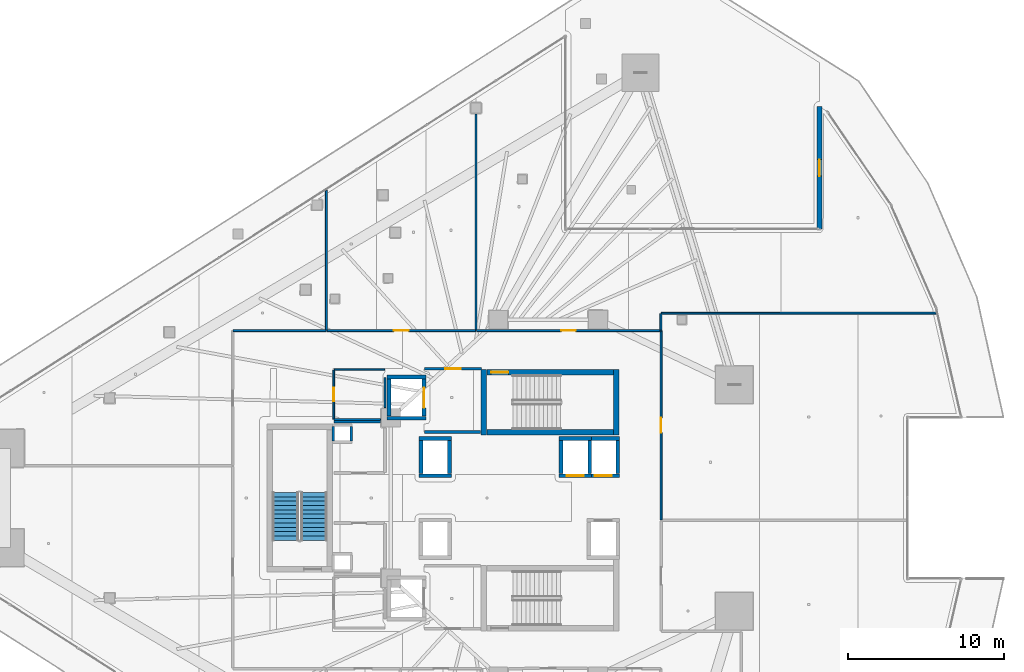
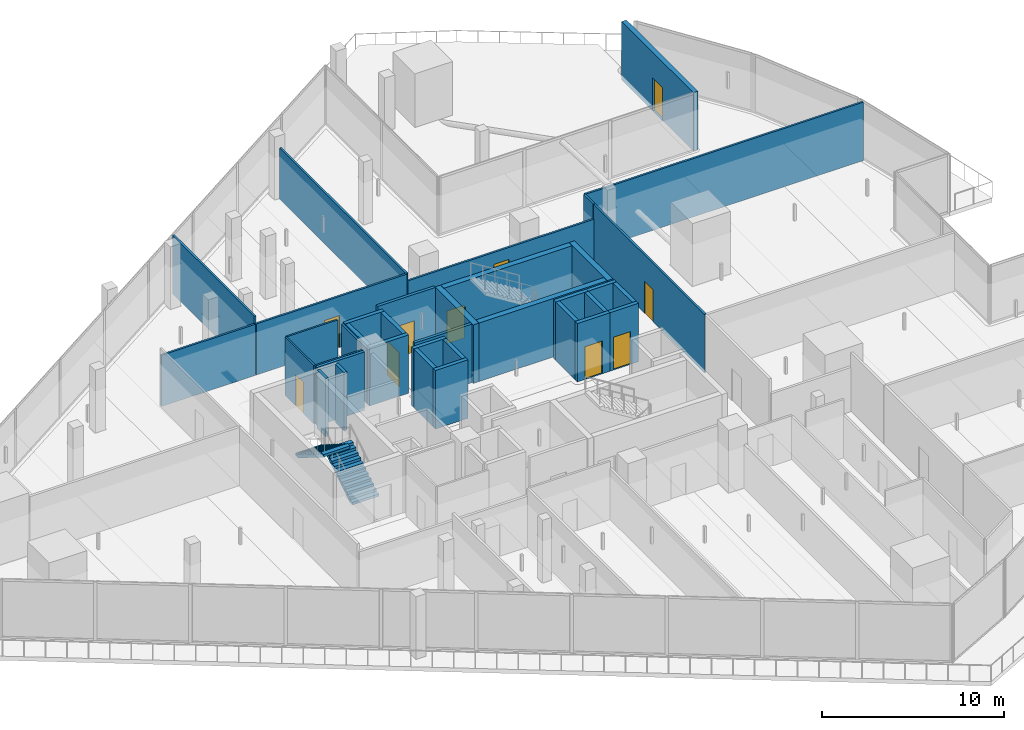
# One storey, part 30 of 44: 37 walls, 10 doors, 2 stair flights, 10 openings, 1 element without a shape of its own.
"""IFC4 building model written with IfcOpenShell, lengths in metres."""

import ifcopenshell
import ifcopenshell.guid

model = None  # the IFC model being written
_history = None  # IfcOwnerHistory: only IFC2X3 demands one
_inside = {}  # id of a spatial element -> (the spatial element, [elements in it])
_under = {}  # id of a project, library or spatial element -> (it, [spatial elements below it])
_declared = {}  # id of a project -> (the project, [libraries it declares])
_typed = {}  # id of a type object -> (the type object, [elements of that type])
_made_of = {}  # id of a material, layer set ... -> (it, [elements and type objects made of it])


def new_model(schema):
    """Start an empty IFC model of exactly this schema.

    Asked for "IFC4X3", IfcOpenShell would pick the latest addendum, in which some entities
    have other attributes; the version numbers below select the first issue.
    IFC2X3 requires an IfcOwnerHistory on every rooted entity: one is made here for all.
    """
    global model, _history
    if schema == "IFC4X3":
        model = ifcopenshell.file(schema_version=(4, 3, 0, 0))
    else:
        model = ifcopenshell.file(schema=schema)
    _inside.clear()
    _under.clear()
    _declared.clear()
    _typed.clear()
    _made_of.clear()
    _history = None
    if model.schema == "IFC2X3":
        org = make("IfcOrganization", Name="unknown")
        user = make(
            "IfcPersonAndOrganization",
            ThePerson=make("IfcPerson", FamilyName="unknown"),
            TheOrganization=org,
        )
        app = make(
            "IfcApplication",
            ApplicationDeveloper=org,
            Version="unknown",
            ApplicationFullName="unknown",
            ApplicationIdentifier="unknown",
        )
        _history = make(
            "IfcOwnerHistory",
            OwningUser=user,
            OwningApplication=app,
            ChangeAction="ADDED",
            CreationDate=0,
        )
    return model


def make(cls, **values):
    """One entity of the class cls with the attributes given. An attribute that is None is left unset."""
    return model.create_entity(
        cls, **{name: value for name, value in values.items() if value is not None}
    )


def rooted(cls, **values):
    """An entity with a GlobalId (a new one), such as an element, a storey or a relation."""
    return make(cls, GlobalId=ifcopenshell.guid.new(), OwnerHistory=_history, **values)


def si_unit(unit_type, name, prefix=None):
    """IfcSIUnit, for example si_unit("LENGTHUNIT", "METRE", prefix="MILLI")."""
    return make("IfcSIUnit", UnitType=unit_type, Prefix=prefix, Name=name)


def assignment(units):
    """IfcUnitAssignment: the units of a project."""
    return None if units is None else make("IfcUnitAssignment", Units=units)


def point(xyz):
    """IfcCartesianPoint."""
    return None if xyz is None else make("IfcCartesianPoint", Coordinates=xyz)


def direction(xyz):
    """IfcDirection."""
    return None if xyz is None else make("IfcDirection", DirectionRatios=xyz)


def frame(location, z_axis=None, x_axis=None):
    """IfcAxis2Placement3D, a coordinate frame: its origin and axes. An axis left out is left unset."""
    return make(
        "IfcAxis2Placement3D",
        Location=point(location),
        Axis=direction(z_axis),
        RefDirection=direction(x_axis),
    )


def frame_2d(location, x_axis=None):
    """IfcAxis2Placement2D, a coordinate frame in the plane: its origin and x axis."""
    return make(
        "IfcAxis2Placement2D", Location=point(location), RefDirection=direction(x_axis)
    )


def origin():
    """The frame at (0, 0, 0) with its axes left unset."""
    return frame((0.0, 0.0, 0.0))


def place(relative_to, where):
    """IfcLocalPlacement: puts the frame where relative to a parent placement (None: the world)."""
    return make(
        "IfcLocalPlacement", PlacementRelTo=relative_to, RelativePlacement=where
    )


def context(
    kind, dimensions, precision=None, world=None, true_north=None, identifier=None
):
    """IfcGeometricRepresentationContext, for example the 3D "Model" context."""
    return make(
        "IfcGeometricRepresentationContext",
        ContextIdentifier=identifier,
        ContextType=kind,
        CoordinateSpaceDimension=dimensions,
        Precision=precision,
        WorldCoordinateSystem=world,
        TrueNorth=true_north,
    )


def subcontext(parent, identifier, kind, view, scale=None):
    """IfcGeometricRepresentationSubContext, for example "Body" below "Model"."""
    return make(
        "IfcGeometricRepresentationSubContext",
        ContextIdentifier=identifier,
        ContextType=kind,
        ParentContext=parent,
        TargetScale=scale,
        TargetView=view,
    )


def project(units=None, contexts=None):
    """IfcProject with its units and contexts."""
    return rooted(
        "IfcProject",
        Name="project",
        RepresentationContexts=contexts,
        UnitsInContext=assignment(units),
    )


def spatial(cls, under=None, at=None, **own):
    """A site, building, storey or space (cls), placed at a placement, below another one or the project."""
    s = rooted(cls, ObjectPlacement=at, **own)
    if under is not None:
        _under.setdefault(under.id(), (under, []))[1].append(s)
    return s


def polyline(points):
    """IfcPolyline through the points."""
    return make("IfcPolyline", Points=[point(p) for p in points])


def profile(cls, at=None, kind="AREA", **sizes):
    """A parametric profile (cls). Its sizes go by their IFC names, for example OverallWidth=200.0."""
    return make(cls, ProfileType=kind, Position=at, **sizes)


def rectangle(**sizes):
    """IfcRectangleProfileDef."""
    return profile("IfcRectangleProfileDef", **sizes)


def outline(outer, holes=None, kind="AREA"):
    """IfcArbitraryClosedProfileDef: a profile drawn as a closed curve; with holes, ...WithVoids."""
    if holes is None:
        return make("IfcArbitraryClosedProfileDef", ProfileType=kind, OuterCurve=outer)
    return make(
        "IfcArbitraryProfileDefWithVoids",
        ProfileType=kind,
        OuterCurve=outer,
        InnerCurves=holes,
    )


def extrude(swept, where, along, depth):
    """IfcExtrudedAreaSolid: the profile swept, set in the frame where, extruded along a direction by depth."""
    return make(
        "IfcExtrudedAreaSolid",
        SweptArea=swept,
        Position=where,
        ExtrudedDirection=direction(along),
        Depth=depth,
    )


def shape(context_of_items, identifier, shape_type, items):
    """IfcShapeRepresentation: the items that make up one representation, for example the "Body"."""
    return make(
        "IfcShapeRepresentation",
        ContextOfItems=context_of_items,
        RepresentationIdentifier=identifier,
        RepresentationType=shape_type,
        Items=items,
    )


def material(Name=None, Category=None):
    """IfcMaterial."""
    return make("IfcMaterial", Name=Name, Category=Category)


def layer(
    of_material, thickness, ventilated=None, Name=None, Category=None, Priority=None
):
    """IfcMaterialLayer: one layer of a wall or slab, of a material (None: an air gap)."""
    return make(
        "IfcMaterialLayer",
        Material=of_material,
        LayerThickness=thickness,
        IsVentilated=ventilated,
        Name=Name,
        Category=Category,
        Priority=Priority,
    )


def layer_set(layers, Name=None):
    """IfcMaterialLayerSet."""
    return make("IfcMaterialLayerSet", MaterialLayers=layers, LayerSetName=Name)


def made_of(thing, what):
    """Note that an element or type object is made of a material, layer set ...; save() writes the relation."""
    if what is not None:
        _made_of.setdefault(what.id(), (what, []))[1].append(thing)
    return thing


def type_object(cls, material=None, **own):
    """A type object (cls), such as IfcWallType, which elements share."""
    return made_of(rooted(cls, **own), material)


def element(
    cls,
    number,
    at=None,
    inside=None,
    cuts=None,
    type_object=None,
    material=None,
    context=None,
    identifier="Body",
    shape_type=None,
    held_by="IfcProductDefinitionShape",
    body=None,
    shapes=None,
    **own,
):
    """One element of the class cls, such as IfcWall. Its Tag is "e" and its number.

    at: its placement. inside: the storey or other place that contains it. cuts: it is an
    opening in that element (IfcRelVoidsElement). A single representation is given by context,
    identifier, shape_type and body (its items); several are given by shapes. held_by: the class
    of the entity that holds the representations. save() writes the other relations.
    """
    e = rooted(cls, Tag="e%d" % number, ObjectPlacement=at, **own)
    if body is not None:
        shapes = [shape(context, identifier, shape_type, body)]
    if shapes is not None:
        e.Representation = make(held_by, Representations=shapes)
    if inside is not None:
        _inside.setdefault(inside.id(), (inside, []))[1].append(e)
    if cuts is not None:
        rooted(
            "IfcRelVoidsElement", RelatingBuildingElement=cuts, RelatedOpeningElement=e
        )
    if type_object is not None:
        _typed.setdefault(type_object.id(), (type_object, []))[1].append(e)
    return made_of(e, material)


def fill(opening, filler):
    """IfcRelFillsElement: the door or window that sits in an opening."""
    return rooted(
        "IfcRelFillsElement",
        RelatingOpeningElement=opening,
        RelatedBuildingElement=filler,
    )


def aggregate(whole, parts):
    """IfcRelAggregates: a whole, such as a stair, and the parts it consists of."""
    return rooted("IfcRelAggregates", RelatingObject=whole, RelatedObjects=parts)


def save(model, path):
    """Write the relations noted so far, then the file.

    IfcRelAggregates (storeys below a building ...), IfcRelContainedInSpatialStructure (elements
    in a storey), IfcRelDefinesByType, IfcRelAssociatesMaterial and IfcRelDeclares: one each for
    every whole, place, type object, material and project.
    """
    for whole, parts in _under.values():
        aggregate(whole, parts)
    for where, things in _inside.values():
        rooted(
            "IfcRelContainedInSpatialStructure",
            RelatedElements=things,
            RelatingStructure=where,
        )
    for kind, things in _typed.values():
        rooted("IfcRelDefinesByType", RelatedObjects=things, RelatingType=kind)
    for what, things in _made_of.values():
        rooted("IfcRelAssociatesMaterial", RelatedObjects=things, RelatingMaterial=what)
    for by, libraries in _declared.values():
        rooted("IfcRelDeclares", RelatingContext=by, RelatedDefinitions=libraries)
    model.write(path)


model = new_model("IFC4")

# Units and contexts
model_context = context("Model", 3, precision=1e-05, world=origin(), true_north=direction((0.0, 1.0)))
body_context = subcontext(model_context, "Body", "Model", "MODEL_VIEW")
ifc_project = project(units=[si_unit("LENGTHUNIT", "METRE"), si_unit("AREAUNIT", "SQUARE_METRE"), si_unit("VOLUMEUNIT", "CUBIC_METRE"), si_unit("PLANEANGLEUNIT", "RADIAN"), si_unit("MASSUNIT", "GRAM", prefix="KILO")], contexts=[model_context])

# Site, building, storey
site_placement = place(None, origin())
site = spatial("IfcSite", under=ifc_project, at=site_placement, CompositionType="ELEMENT")
building_placement = place(site_placement, origin())
building = spatial("IfcBuilding", under=site, at=building_placement, Name="Qorvath Tower", CompositionType="ELEMENT")
storey_placement = place(building_placement, frame((0.0, 0.0, 78.60009765625)))
storey = spatial("IfcBuildingStorey", under=building, at=storey_placement, Name="L17", CompositionType="ELEMENT", Elevation=78.60009765625)

# Walls
ifc_material_1 = material(Name="Gypsum shaftliner on steel studs", Category="steel")
ifc_layer_1 = layer(ifc_material_1, 0.179931640625)
ifc_layer_set_1 = layer_set([ifc_layer_1], Name="FW-LOBBY")
wall_type_1 = type_object("IfcWallType", Name="FW-LOBBY", PredefinedType="PARTITIONING", material=ifc_layer_set_1)
for number, where, z_axis, x_axis, name in (
    (1, (-34.205078125, 3.659912109375, 0.0), (0.0, 0.0, 1.0), (0.0, 1.0, 0.0), "MEP Riser Shaft Enclosure Wall N-L17-W"),
    (2, (-33.044921875, 4.610107421875, 0.0), (0.0, 0.0, 1.0), (0.0, -1.0, 0.0), "MEP Riser Shaft Enclosure Wall N-L17-E"),
):
    element("IfcWall", number, at=place(storey_placement, frame(where, z_axis=z_axis, x_axis=x_axis)), inside=storey, type_object=wall_type_1, Name=name, PredefinedType="PARTITIONING", context=body_context, shape_type="SweptSolid", body=[
        extrude(rectangle(XDim=0.9501953125, YDim=0.179931640625, at=frame_2d((0.47509765625, 0.0))), origin(), (0.0, 0.0, 1.0), 3.919921875),
    ])
wall_1_placement = place(storey_placement, frame((-28.35498046875, 4.25, 0.0), z_axis=(0.0, 0.0, 1.0), x_axis=(1.0, 0.0, 0.0)))
element("IfcWall", 3, at=wall_1_placement, inside=storey, type_object=wall_type_1, Name="Interior Partition IW-T1-L17-001", PredefinedType="PARTITIONING", context=body_context, shape_type="SweptSolid", body=[
    extrude(rectangle(XDim=3.6220703125, YDim=0.179931640625, at=frame_2d((1.81103515625, 0.0))), origin(), (0.0, 0.0, 1.0), 3.919921875),
])

# Wall, opening, door
wall_2_placement = place(storey_placement, frame((-24.68408203125, 8.300048828125, 0.0), z_axis=(0.0, 0.0, 1.0), x_axis=(-1.0, 0.0, 0.0)))
wall_2 = element("IfcWall", 4, at=wall_2_placement, inside=storey, type_object=wall_type_1, Name="Interior Partition IW-T1-L17-002", PredefinedType="PARTITIONING", context=body_context, shape_type="SweptSolid", body=[
    extrude(rectangle(XDim=3.6708984375, YDim=0.179931640625, at=frame_2d((1.83544921875, 0.0))), origin(), (0.0, 0.0, 1.0), 3.919921875),
])
opening_1_placement = place(wall_2_placement, frame((1.33544921875, 0.0, 0.0)))
opening_1 = element("IfcOpeningElement", 5, at=opening_1_placement, cuts=wall_2, Name="Opening D-T1-L17-18", PredefinedType="OPENING", context=body_context, shape_type="SweptSolid", body=[
    extrude(rectangle(XDim=1.0, YDim=2.14990234375, at=frame_2d((0.5, 1.074951171875))), frame((0.0, 0.10009765625, 0.0), z_axis=(0.0, -1.0, 0.0), x_axis=(1.0, 0.0, 0.0)), (0.0, 0.0, 1.0), 0.199951171875),
])
ifc_material_2 = material(Name="Painted galvanised hollow metal", Category="steel")
door_type_1 = type_object("IfcDoorType", Name="FD-60", OperationType="NOTDEFINED", PredefinedType="DOOR", material=ifc_material_2)
door_1_placement = place(opening_1_placement, origin())
door_1 = element("IfcDoor", 6, at=door_1_placement, inside=storey, type_object=door_type_1, Name="Lobby Fire Service Elevator North Door D-T1-L17-18", OperationType="SINGLE_SWING_RIGHT", OverallHeight=2.14990234375, OverallWidth=1.0, PredefinedType="DOOR", context=body_context, shape_type="SweptSolid", body=[
    extrude(rectangle(XDim=1.0, YDim=2.14990234375, at=frame_2d((0.5, 1.074951171875))), frame((0.0, 0.02490234375, 0.0), z_axis=(0.0, -1.0, 0.0), x_axis=(1.0, 0.0, 0.0)), (0.0, 0.0, 1.0), 0.050048828125),
])
fill(opening_1, door_1)

# Wall
wall_3_placement = place(storey_placement, frame((-31.1650390625, 4.89990234375, 0.0), z_axis=(0.0, 0.0, 1.0), x_axis=(-1.0, 0.0, 0.0)))
element("IfcWall", 7, at=wall_3_placement, inside=storey, type_object=wall_type_1, Name="Interior Partition IW-T1-L17-015", PredefinedType="PARTITIONING", context=body_context, shape_type="SweptSolid", body=[
    extrude(rectangle(XDim=2.98974609375, YDim=0.179931640625, at=frame_2d((1.494873046875, 0.0))), origin(), (0.0, 0.0, 1.0), 3.919921875),
])

# Wall, opening, door
ifc_material_3 = material(Name="Gypsum board on metal studs with mineral wool", Category="gypsum")
ifc_layer_2 = layer(ifc_material_3, 0.125)
ifc_layer_set_2 = layer_set([ifc_layer_2], Name="IW-PART-125")
wall_type_2 = type_object("IfcWallType", Name="IW-PART-125", PredefinedType="PARTITIONING", material=ifc_layer_set_2)
wall_4_placement = place(storey_placement, frame((-34.625, 10.758056640625, 0.0), z_axis=(0.0, 0.0, 1.0), x_axis=(1.0, 0.0, 0.0)))
wall_4 = element("IfcWall", 8, at=wall_4_placement, inside=storey, type_object=wall_type_2, Name="Interior Partition IW-T1-L17-019", PredefinedType="PARTITIONING", context=body_context, shape_type="SweptSolid", body=[
    extrude(rectangle(XDim=9.566162109375, YDim=0.125, at=frame_2d((4.783203125, 0.0))), origin(), (0.0, 0.0, 1.0), 3.432861328125),
])
opening_2_placement = place(wall_4_placement, frame((4.30810546875, 0.0, 0.0)))
opening_2 = element("IfcOpeningElement", 9, at=opening_2_placement, cuts=wall_4, Name="Opening D-T1-L17-05", PredefinedType="OPENING", context=body_context, shape_type="SweptSolid", body=[
    extrude(rectangle(XDim=0.949951171875, YDim=2.14990234375, at=frame_2d((0.47509765625, 1.074951171875))), frame((0.0, 0.072509765625, 0.0), z_axis=(0.0, -1.0, 0.0), x_axis=(1.0, 0.0, 0.0)), (0.0, 0.0, 1.0), 0.14501953125),
])
ifc_material_4 = material(Name="Solid-core American white oak veneer", Category="wood")
door_type_2 = type_object("IfcDoorType", Name="D-01", OperationType="NOTDEFINED", PredefinedType="DOOR", material=ifc_material_4)
door_2_placement = place(opening_2_placement, origin())
door_2 = element("IfcDoor", 10, at=door_2_placement, inside=storey, type_object=door_type_2, Name="L17-01 Focus Collaboration Pod Door D-T1-L17-05", OperationType="SINGLE_SWING_LEFT", OverallHeight=2.14990234375, OverallWidth=0.949951171875, PredefinedType="DOOR", context=body_context, shape_type="SweptSolid", body=[
    extrude(rectangle(XDim=0.949951171875, YDim=2.14990234375, at=frame_2d((0.47509765625, 1.074951171875))), frame((0.0, 0.02490234375, 0.0), z_axis=(0.0, -1.0, 0.0), x_axis=(1.0, 0.0, 0.0)), (0.0, 0.0, 1.0), 0.050048828125),
])
fill(opening_2, door_2)

# Walls
wall_5_placement = place(storey_placement, frame((-25.033935546875, 10.783203125, 0.0), z_axis=(0.0, 0.0, 1.0), x_axis=(0.0, 1.0, 0.0)))
element("IfcWall", 11, at=wall_5_placement, inside=storey, type_object=wall_type_2, Name="Interior Partition IW-T1-L17-020", PredefinedType="PARTITIONING", context=body_context, shape_type="SweptSolid", body=[
    extrude(rectangle(XDim=13.885498046875, YDim=0.125, at=frame_2d((6.94287109375, 0.0))), origin(), (0.0, 0.0, 1.0), 3.432861328125),
])
wall_6_placement = place(storey_placement, frame((-34.64990234375, 19.766357421875, 0.0), z_axis=(0.0, 0.0, 1.0), x_axis=(0.0, -1.0, 0.0)))
element("IfcWall", 12, at=wall_6_placement, inside=storey, type_object=wall_type_2, Name="Interior Partition IW-T1-L17-021", PredefinedType="PARTITIONING", context=body_context, shape_type="SweptSolid", body=[
    extrude(rectangle(XDim=8.983154296875, YDim=0.125, at=frame_2d((4.49169921875, 0.0))), origin(), (0.0, 0.0, 1.0), 3.919921875),
])

# Wall, opening, door
wall_7_placement = place(storey_placement, frame((-25.0009765625, 10.758056640625, 0.0), z_axis=(0.0, 0.0, 1.0), x_axis=(1.0, 0.0, 0.0)))
wall_7 = element("IfcWall", 13, at=wall_7_placement, inside=storey, type_object=wall_type_2, Name="Interior Partition IW-T1-L17-022", PredefinedType="PARTITIONING", context=body_context, shape_type="SweptSolid", body=[
    extrude(rectangle(XDim=11.826171875, YDim=0.125, at=frame_2d((5.9130859375, 0.0))), origin(), (0.0, 0.0, 1.0), 2.956787109375),
])
opening_3_placement = place(wall_7_placement, frame((5.43798828125, 0.0, 0.0)))
opening_3 = element("IfcOpeningElement", 14, at=opening_3_placement, cuts=wall_7, Name="Opening D-T1-L17-06", PredefinedType="OPENING", context=body_context, shape_type="SweptSolid", body=[
    extrude(rectangle(XDim=0.949951171875, YDim=2.14990234375, at=frame_2d((0.47509765625, 1.074951171875))), frame((0.0, 0.072509765625, 0.0), z_axis=(0.0, -1.0, 0.0), x_axis=(1.0, 0.0, 0.0)), (0.0, 0.0, 1.0), 0.14501953125),
])
door_3_placement = place(opening_3_placement, origin())
door_3 = element("IfcDoor", 15, at=door_3_placement, inside=storey, type_object=door_type_2, Name="L17-02 Staff Refreshment Pantry and Coffee Bar Door D-T1-L17-06", OperationType="SINGLE_SWING_RIGHT", OverallHeight=2.14990234375, OverallWidth=0.949951171875, PredefinedType="DOOR", context=body_context, shape_type="SweptSolid", body=[
    extrude(rectangle(XDim=0.949951171875, YDim=2.14990234375, at=frame_2d((0.47509765625, 1.074951171875))), frame((0.0, 0.02490234375, 0.0), z_axis=(0.0, -1.0, 0.0), x_axis=(1.0, 0.0, 0.0)), (0.0, 0.0, 1.0), 0.050048828125),
])
fill(opening_3, door_3)

# Walls
wall_8_placement = place(storey_placement, frame((-13.14990234375, 11.845703125, 0.0), z_axis=(0.0, 0.0, 1.0), x_axis=(0.0, -1.0, 0.0)))
element("IfcWall", 16, at=wall_8_placement, inside=storey, type_object=wall_type_2, Name="Interior Partition IW-T1-L17-023", PredefinedType="PARTITIONING", context=body_context, shape_type="SweptSolid", body=[
    extrude(rectangle(XDim=1.0625, YDim=0.125, at=frame_2d((0.53125, 0.0))), origin(), (0.0, 0.0, 1.0), 3.919921875),
])
wall_9_placement = place(storey_placement, frame((-13.125, 11.87060546875, 0.0), z_axis=(0.0, 0.0, 1.0), x_axis=(0.999999908086, 0.000428751188, 0.0)))
element("IfcWall", 17, at=wall_9_placement, inside=storey, type_object=wall_type_2, Name="Interior Partition IW-T1-L17-024", PredefinedType="PARTITIONING", context=body_context, shape_type="SweptSolid", body=[
    extrude(rectangle(XDim=17.652099609375, YDim=0.125, at=frame_2d((8.826171875, 0.0))), origin(), (0.0, 0.0, 1.0), 3.919921875),
])

# Wall, opening, door
wall_10_placement = place(storey_placement, frame((-13.14208984375, 10.75830078125, 0.0), z_axis=(0.0, 0.0, 1.0), x_axis=(0.0, -1.0, 0.0)))
wall_10 = element("IfcWall", 18, at=wall_10_placement, inside=storey, type_object=wall_type_2, Name="Interior Partition IW-T1-L17-047", PredefinedType="PARTITIONING", context=body_context, shape_type="SweptSolid", body=[
    extrude(rectangle(XDim=12.16650390625, YDim=0.125, at=frame_2d((6.083251953125, 0.0))), origin(), (0.0, 0.0, 1.0), 3.919921875),
])
opening_4_placement = place(wall_10_placement, frame((5.608154296875, 0.0, 0.0)))
opening_4 = element("IfcOpeningElement", 19, at=opening_4_placement, cuts=wall_10, Name="Opening D-T1-L17-15", PredefinedType="OPENING", context=body_context, shape_type="SweptSolid", body=[
    extrude(rectangle(XDim=0.949951171875, YDim=2.14990234375, at=frame_2d((0.47509765625, 1.074951171875))), frame((0.0, 0.072509765625, 0.0), z_axis=(0.0, -1.0, 0.0), x_axis=(1.0, 0.0, 0.0)), (0.0, 0.0, 1.0), 0.14501953125),
])
door_4_placement = place(opening_4_placement, origin())
door_4 = element("IfcDoor", 20, at=door_4_placement, inside=storey, type_object=door_type_2, Name="L17-11 Engineering Documentation Suite Door D-T1-L17-15", OperationType="SINGLE_SWING_LEFT", OverallHeight=2.14990234375, OverallWidth=0.949951171875, PredefinedType="DOOR", context=body_context, shape_type="SweptSolid", body=[
    extrude(rectangle(XDim=0.949951171875, YDim=2.14990234375, at=frame_2d((0.47509765625, 1.074951171875))), frame((0.0, 0.02490234375, 0.0), z_axis=(0.0, -1.0, 0.0), x_axis=(1.0, 0.0, 0.0)), (0.0, 0.0, 1.0), 0.050048828125),
])
fill(opening_4, door_4)

# Wall
wall_11_placement = place(storey_placement, frame((-34.68310546875, 10.758056640625, 0.0), z_axis=(0.0, 0.0, 1.0), x_axis=(-1.0, 0.0, 0.0)))
element("IfcWall", 21, at=wall_11_placement, inside=storey, type_object=wall_type_2, Name="Interior Partition IW-T1-L17-053", PredefinedType="PARTITIONING", context=body_context, shape_type="SweptSolid", body=[
    extrude(rectangle(XDim=5.949951171875, YDim=0.125, at=frame_2d((2.97509765625, 0.0))), origin(), (0.0, 0.0, 1.0), 3.432861328125),
])

# Wall, opening, door
ifc_material_5 = material(Name="Moisture-resistant cement board on metal studs", Category="gypsum")
ifc_layer_3 = layer(ifc_material_5, 0.110107421875)
ifc_layer_set_3 = layer_set([ifc_layer_3], Name="IW-WC-110")
wall_type_3 = type_object("IfcWallType", Name="IW-WC-110", PredefinedType="PARTITIONING", material=ifc_layer_set_3)
wall_12_placement = place(storey_placement, frame((-34.179931640625, 8.22509765625, 0.0), z_axis=(0.0, 0.0, 1.0), x_axis=(0.0, -1.0, 0.0)))
wall_12 = element("IfcWall", 22, at=wall_12_placement, inside=storey, type_object=wall_type_3, Name="Interior Partition IW-T1-L17-005", PredefinedType="PARTITIONING", context=body_context, shape_type="SweptSolid", body=[
    extrude(rectangle(XDim=3.150146484375, YDim=0.110107421875, at=frame_2d((1.5751953125, 0.0))), origin(), (0.0, 0.0, 1.0), 3.919921875),
])
opening_5_placement = place(wall_12_placement, frame((1.135009765625, 0.0, 0.0)))
opening_5 = element("IfcOpeningElement", 23, at=opening_5_placement, cuts=wall_12, Name="Opening D-T1-L17-01", PredefinedType="OPENING", context=body_context, shape_type="SweptSolid", body=[
    extrude(rectangle(XDim=0.8798828125, YDim=2.10009765625, at=frame_2d((0.43994140625, 1.050048828125))), frame((0.0, 0.06494140625, 0.0), z_axis=(0.0, -1.0, 0.0), x_axis=(1.0, 0.0, 0.0)), (0.0, 0.0, 1.0), 0.130126953125),
])
ifc_material_6 = material(Name="Solid-core oak with acoustic drop seal", Category="wood")
door_type_3 = type_object("IfcDoorType", Name="D-02", OperationType="NOTDEFINED", PredefinedType="DOOR", material=ifc_material_6)
door_5_placement = place(opening_5_placement, origin())
door_5 = element("IfcDoor", 24, at=door_5_placement, inside=storey, type_object=door_type_3, Name="WC All-Gender North L17 Door D-T1-L17-01", OperationType="SINGLE_SWING_LEFT", OverallHeight=2.10009765625, OverallWidth=0.8798828125, PredefinedType="DOOR", context=body_context, shape_type="SweptSolid", body=[
    extrude(rectangle(XDim=0.8798828125, YDim=2.10009765625, at=frame_2d((0.43994140625, 1.050048828125))), frame((0.0, 0.02490234375, 0.0), z_axis=(0.0, -1.0, 0.0), x_axis=(1.0, 0.0, 0.0)), (0.0, 0.0, 1.0), 0.050048828125),
])
fill(opening_5, door_5)

# Walls
wall_13_placement = place(storey_placement, frame((-34.15478515625, 5.050048828125, 0.0), z_axis=(0.0, 0.0, 1.0), x_axis=(1.0, 0.0, 0.0)))
element("IfcWall", 25, at=wall_13_placement, inside=storey, type_object=wall_type_3, Name="Interior Partition IW-T1-L17-006", PredefinedType="PARTITIONING", context=body_context, shape_type="SweptSolid", body=[
    extrude(rectangle(XDim=2.98974609375, YDim=0.110107421875, at=frame_2d((1.494873046875, 0.0))), origin(), (0.0, 0.0, 1.0), 3.919921875),
])
wall_14_placement = place(storey_placement, frame((-30.8798828125, 5.81494140625, 0.0), z_axis=(0.0, 0.0, 1.0), x_axis=(0.0, 1.0, 0.0)))
element("IfcWall", 26, at=wall_14_placement, inside=storey, type_object=wall_type_3, Name="Interior Partition IW-T1-L17-007", PredefinedType="PARTITIONING", context=body_context, shape_type="SweptSolid", body=[
    extrude(rectangle(XDim=1.927978515625, YDim=0.110107421875, at=frame_2d((0.9638671875, 0.0))), origin(), (0.0, 0.0, 1.0), 3.919921875),
])
wall_15_placement = place(storey_placement, frame((-30.90478515625, 8.25, 0.0), z_axis=(0.0, 0.0, 1.0), x_axis=(-1.0, 0.0, 0.0)))
element("IfcWall", 27, at=wall_15_placement, inside=storey, type_object=wall_type_3, Name="Interior Partition IW-T1-L17-008", PredefinedType="PARTITIONING", context=body_context, shape_type="SweptSolid", body=[
    extrude(rectangle(XDim=3.25, YDim=0.110107421875, at=frame_2d((1.625, 0.0))), origin(), (0.0, 0.0, 1.0), 3.919921875),
])
ifc_material_7 = material(Name="Concrete C60/75", Category="concrete")
ifc_layer_4 = layer(ifc_material_7, 0.260009765625)
ifc_layer_set_4 = layer_set([ifc_layer_4], Name="SW-SHAFT")
wall_type_4 = type_object("IfcWallType", Name="SW-SHAFT", PredefinedType="SHEAR", material=ifc_layer_set_4)
for number, where, z_axis, x_axis, name in (
    (28, (-28.260009765625, 5.1298828125, 0.0), (0.0, 0.0, 1.0), (-1.0, 0.0, 0.0), "Hoistway Wall FSAE-1 L17 S"),
    (29, (-30.739990234375, 7.77001953125, 0.0), (0.0, 0.0, 1.0), (1.0, 0.0, 0.0), "Hoistway Wall FSAE-1 L17 N"),
):
    element("IfcWall", number, at=place(storey_placement, frame(where, z_axis=z_axis, x_axis=x_axis)), inside=storey, type_object=wall_type_4, Name=name, PredefinedType="SHEAR", context=body_context, shape_type="SweptSolid", body=[
        extrude(rectangle(XDim=2.47998046875, YDim=0.239990234375, at=frame_2d((1.239990234375, 0.0))), origin(), (0.0, 0.0, 1.0), 3.919921875),
    ])
wall_16_placement = place(storey_placement, frame((-30.6201171875, 5.261962890625, 0.0), z_axis=(0.0, 0.0, 1.0), x_axis=(0.0, 1.0, 0.0)))
element("IfcWall", 30, at=wall_16_placement, inside=storey, type_object=wall_type_4, Name="Hoistway Wall FSAE-1 L17 W", PredefinedType="SHEAR", context=body_context, shape_type="SweptSolid", body=[
    extrude(rectangle(XDim=2.3759765625, YDim=0.239990234375, at=frame_2d((1.18798828125, 0.0))), origin(), (0.0, 0.0, 1.0), 3.919921875),
])

# Wall, opening, door
wall_17_placement = place(storey_placement, frame((-28.3798828125, 7.637939453125, 0.0), z_axis=(0.0, 0.0, 1.0), x_axis=(0.0, -1.0, 0.0)))
wall_17 = element("IfcWall", 31, at=wall_17_placement, inside=storey, type_object=wall_type_4, Name="Hoistway Wall FSAE-1 L17 E", PredefinedType="SHEAR", context=body_context, shape_type="SweptSolid", body=[
    extrude(rectangle(XDim=2.3759765625, YDim=0.239990234375, at=frame_2d((1.18798828125, 0.0))), origin(), (0.0, 0.0, 1.0), 3.919921875),
])
opening_6_placement = place(wall_17_placement, frame((0.537841796875, 0.0, 0.0)))
opening_6 = element("IfcOpeningElement", 32, at=opening_6_placement, cuts=wall_17, Name="Opening LD-FSAE-1-L17", PredefinedType="OPENING", context=body_context, shape_type="SweptSolid", body=[
    extrude(rectangle(XDim=1.300048828125, YDim=2.300048828125, at=frame_2d((0.64990234375, 1.14990234375))), frame((0.0, 0.1298828125, 0.0), z_axis=(0.0, -1.0, 0.0), x_axis=(1.0, 0.0, 0.0)), (0.0, 0.0, 1.0), 0.260009765625),
])
ifc_material_8 = material(Name="Brushed stainless steel AISI 316", Category="steel")
door_type_4 = type_object("IfcDoorType", Name="LD-02", OperationType="NOTDEFINED", PredefinedType="DOOR", material=ifc_material_8)
door_6_placement = place(opening_6_placement, origin())
door_6 = element("IfcDoor", 33, at=door_6_placement, inside=storey, type_object=door_type_4, Name="Elevator Landing Sliding Door LD-FSAE-1-L17", OperationType="DOUBLE_DOOR_SLIDING", OverallHeight=2.300048828125, OverallWidth=1.300048828125, PredefinedType="DOOR", context=body_context, shape_type="SweptSolid", body=[
    extrude(rectangle(XDim=1.300048828125, YDim=2.300048828125, at=frame_2d((0.64990234375, 1.14990234375))), frame((0.0, 0.02490234375, 0.0), z_axis=(0.0, -1.0, 0.0), x_axis=(1.0, 0.0, 0.0)), (0.0, 0.0, 1.0), 0.050048828125),
])
fill(opening_6, door_6)

# Walls
for number, where, z_axis, x_axis, name in (
    (34, (-26.610107421875, 1.429931640625, 0.0), (0.0, 0.0, 1.0), (-1.0, 0.0, 0.0), "Hoistway Wall PS-1 L17 S"),
    (35, (-28.68994140625, 3.820068359375, 0.0), (0.0, 0.0, 1.0), (1.0, 0.0, 0.0), "Hoistway Wall PS-1 L17 N"),
):
    element("IfcWall", number, at=place(storey_placement, frame(where, z_axis=z_axis, x_axis=x_axis)), inside=storey, type_object=wall_type_4, Name=name, PredefinedType="SHEAR", context=body_context, shape_type="SweptSolid", body=[
        extrude(rectangle(XDim=2.079833984375, YDim=0.239990234375, at=frame_2d((1.0400390625, 0.0))), origin(), (0.0, 0.0, 1.0), 3.919921875),
    ])
for number, where, z_axis, x_axis, name in (
    (36, (-28.570068359375, 1.56201171875, 0.0), (0.0, 0.0, 1.0), (0.0, 1.0, 0.0), "Hoistway Wall PS-1 L17 W"),
    (37, (-26.72998046875, 3.68798828125, 0.0), (0.0, 0.0, 1.0), (0.0, -1.0, 0.0), "Hoistway Wall PS-1 L17 E"),
):
    element("IfcWall", number, at=place(storey_placement, frame(where, z_axis=z_axis, x_axis=x_axis)), inside=storey, type_object=wall_type_4, Name=name, PredefinedType="SHEAR", context=body_context, shape_type="SweptSolid", body=[
        extrude(rectangle(XDim=2.1259765625, YDim=0.239990234375, at=frame_2d((1.06298828125, 0.0))), origin(), (0.0, 0.0, 1.0), 3.919921875),
    ])

# Wall, opening, door
wall_18_placement = place(storey_placement, frame((-17.610107421875, 1.429931640625, 0.0), z_axis=(0.0, 0.0, 1.0), x_axis=(-1.0, 0.0, 0.0)))
wall_18 = element("IfcWall", 38, at=wall_18_placement, inside=storey, type_object=wall_type_4, Name="Hoistway Wall PL-1 L17 S", PredefinedType="SHEAR", context=body_context, shape_type="SweptSolid", body=[
    extrude(rectangle(XDim=2.079833984375, YDim=0.239990234375, at=frame_2d((1.0400390625, 0.0))), origin(), (0.0, 0.0, 1.0), 3.919921875),
])
opening_7_placement = place(wall_18_placement, frame((0.48974609375, 0.0, 0.0)))
opening_7 = element("IfcOpeningElement", 39, at=opening_7_placement, cuts=wall_18, Name="Opening LD-PL-1-L17", PredefinedType="OPENING", context=body_context, shape_type="SweptSolid", body=[
    extrude(rectangle(XDim=1.10009765625, YDim=2.199951171875, at=frame_2d((0.550048828125, 1.10009765625))), frame((0.0, 0.1298828125, 0.0), z_axis=(0.0, -1.0, 0.0), x_axis=(1.0, 0.0, 0.0)), (0.0, 0.0, 1.0), 0.260009765625),
])
ifc_material_9 = material(Name="Brushed stainless steel AISI 316", Category="steel")
door_type_5 = type_object("IfcDoorType", Name="LD-01", OperationType="NOTDEFINED", PredefinedType="DOOR", material=ifc_material_9)
door_7_placement = place(opening_7_placement, origin())
door_7 = element("IfcDoor", 40, at=door_7_placement, inside=storey, type_object=door_type_5, Name="Elevator Landing Sliding Door LD-PL-1-L17", OperationType="DOUBLE_DOOR_SLIDING", OverallHeight=2.199951171875, OverallWidth=1.10009765625, PredefinedType="DOOR", context=body_context, shape_type="SweptSolid", body=[
    extrude(rectangle(XDim=1.10009765625, YDim=2.199951171875, at=frame_2d((0.550048828125, 1.10009765625))), frame((0.0, 0.02490234375, 0.0), z_axis=(0.0, -1.0, 0.0), x_axis=(1.0, 0.0, 0.0)), (0.0, 0.0, 1.0), 0.050048828125),
])
fill(opening_7, door_7)

# Walls
wall_19_placement = place(storey_placement, frame((-19.68994140625, 3.820068359375, 0.0), z_axis=(0.0, 0.0, 1.0), x_axis=(1.0, 0.0, 0.0)))
element("IfcWall", 41, at=wall_19_placement, inside=storey, type_object=wall_type_4, Name="Hoistway Wall PL-1 L17 N", PredefinedType="SHEAR", context=body_context, shape_type="SweptSolid", body=[
    extrude(rectangle(XDim=2.079833984375, YDim=0.239990234375, at=frame_2d((1.0400390625, 0.0))), origin(), (0.0, 0.0, 1.0), 3.919921875),
])
for number, where, z_axis, x_axis, name in (
    (42, (-19.570068359375, 1.56201171875, 0.0), (0.0, 0.0, 1.0), (0.0, 1.0, 0.0), "Hoistway Wall PL-1 L17 W"),
    (43, (-17.72998046875, 3.68798828125, 0.0), (0.0, 0.0, 1.0), (0.0, -1.0, 0.0), "Hoistway Wall PL-1 L17 E"),
):
    element("IfcWall", number, at=place(storey_placement, frame(where, z_axis=z_axis, x_axis=x_axis)), inside=storey, type_object=wall_type_4, Name=name, PredefinedType="SHEAR", context=body_context, shape_type="SweptSolid", body=[
        extrude(rectangle(XDim=2.1259765625, YDim=0.239990234375, at=frame_2d((1.06298828125, 0.0))), origin(), (0.0, 0.0, 1.0), 3.919921875),
    ])

# Wall, opening, door
wall_20_placement = place(storey_placement, frame((-15.81005859375, 1.429931640625, 0.0), z_axis=(0.0, 0.0, 1.0), x_axis=(-1.0, 0.0, 0.0)))
wall_20 = element("IfcWall", 44, at=wall_20_placement, inside=storey, type_object=wall_type_4, Name="Hoistway Wall PL-3 L17 S", PredefinedType="SHEAR", context=body_context, shape_type="SweptSolid", body=[
    extrude(rectangle(XDim=1.800048828125, YDim=0.239990234375, at=frame_2d((0.89990234375, 0.0))), origin(), (0.0, 0.0, 1.0), 3.919921875),
])
opening_8_placement = place(wall_20_placement, frame((0.489990234375, 0.0, 0.0)))
opening_8 = element("IfcOpeningElement", 45, at=opening_8_placement, cuts=wall_20, Name="Opening LD-PL-3-L17", PredefinedType="OPENING", context=body_context, shape_type="SweptSolid", body=[
    extrude(rectangle(XDim=1.10009765625, YDim=2.199951171875, at=frame_2d((0.550048828125, 1.10009765625))), frame((0.0, 0.1298828125, 0.0), z_axis=(0.0, -1.0, 0.0), x_axis=(1.0, 0.0, 0.0)), (0.0, 0.0, 1.0), 0.260009765625),
])
door_8_placement = place(opening_8_placement, origin())
door_8 = element("IfcDoor", 46, at=door_8_placement, inside=storey, type_object=door_type_5, Name="Elevator Landing Sliding Door LD-PL-3-L17", OperationType="DOUBLE_DOOR_SLIDING", OverallHeight=2.199951171875, OverallWidth=1.10009765625, PredefinedType="DOOR", context=body_context, shape_type="SweptSolid", body=[
    extrude(rectangle(XDim=1.10009765625, YDim=2.199951171875, at=frame_2d((0.550048828125, 1.10009765625))), frame((0.0, 0.02490234375, 0.0), z_axis=(0.0, -1.0, 0.0), x_axis=(1.0, 0.0, 0.0)), (0.0, 0.0, 1.0), 0.050048828125),
])
fill(opening_8, door_8)

# Walls
wall_21_placement = place(storey_placement, frame((-17.610107421875, 3.820068359375, 0.0), z_axis=(0.0, 0.0, 1.0), x_axis=(1.0, 0.0, 0.0)))
element("IfcWall", 47, at=wall_21_placement, inside=storey, type_object=wall_type_4, Name="Hoistway Wall PL-3 L17 N", PredefinedType="SHEAR", context=body_context, shape_type="SweptSolid", body=[
    extrude(rectangle(XDim=1.800048828125, YDim=0.239990234375, at=frame_2d((0.89990234375, 0.0))), origin(), (0.0, 0.0, 1.0), 3.919921875),
])
wall_22_placement = place(storey_placement, frame((-15.929931640625, 3.68798828125, 0.0), z_axis=(0.0, 0.0, 1.0), x_axis=(0.0, -1.0, 0.0)))
element("IfcWall", 48, at=wall_22_placement, inside=storey, type_object=wall_type_4, Name="Hoistway Wall PL-3 L17 E", PredefinedType="SHEAR", context=body_context, shape_type="SweptSolid", body=[
    extrude(rectangle(XDim=2.1259765625, YDim=0.239990234375, at=frame_2d((1.06298828125, 0.0))), origin(), (0.0, 0.0, 1.0), 3.919921875),
])
ifc_material_10 = material(Name="Concrete C60/75", Category="concrete")
ifc_layer_5 = layer(ifc_material_10, 0.35009765625)
ifc_layer_set_5 = layer_set([ifc_layer_5], Name="SW-STAIR")
wall_type_5 = type_object("IfcWallType", Name="SW-STAIR", PredefinedType="SHEAR", material=ifc_layer_set_5)
for number, where, z_axis, x_axis, name in (
    (49, (-24.52490234375, 8.260009765625, 0.0), (0.0, 0.0, 1.0), (0.0, -1.0, 0.0), "Stair TS1 Shear Wall L17 NEAR"),
    (50, (-16.02490234375, 4.050048828125, 0.0), (0.0, 0.0, 1.0), (0.0, 1.0, 0.0), "Stair TS1 Shear Wall L17 FAR"),
):
    element("IfcWall", number, at=place(storey_placement, frame(where, z_axis=z_axis, x_axis=x_axis)), inside=storey, type_object=wall_type_5, Name=name, PredefinedType="SHEAR", context=body_context, shape_type="SweptSolid", body=[
        extrude(rectangle(XDim=4.2099609375, YDim=0.35009765625, at=frame_2d((2.10498046875, 0.0))), origin(), (0.0, 0.0, 1.0), 3.919921875),
    ])
wall_23_placement = place(storey_placement, frame((-24.3349609375, 4.22509765625, 0.0), z_axis=(0.0, 0.0, 1.0), x_axis=(1.0, 0.0, 0.0)))
element("IfcWall", 51, at=wall_23_placement, inside=storey, type_object=wall_type_5, Name="Stair TS1 Shear Wall L17 LEFT", PredefinedType="SHEAR", context=body_context, shape_type="SweptSolid", body=[
    extrude(rectangle(XDim=8.119873046875, YDim=0.35009765625, at=frame_2d((4.06005859375, 0.0))), origin(), (0.0, 0.0, 1.0), 3.919921875),
])

# Wall, opening, door
wall_24_placement = place(storey_placement, frame((-16.215087890625, 8.0849609375, 0.0), z_axis=(0.0, 0.0, 1.0), x_axis=(-1.0, 0.0, 0.0)))
wall_24 = element("IfcWall", 52, at=wall_24_placement, inside=storey, type_object=wall_type_5, Name="Stair TS1 Shear Wall L17 RIGHT", PredefinedType="SHEAR", context=body_context, shape_type="SweptSolid", body=[
    extrude(rectangle(XDim=8.119873046875, YDim=0.35009765625, at=frame_2d((4.06005859375, 0.0))), origin(), (0.0, 0.0, 1.0), 3.919921875),
])
opening_9_placement = place(wall_24_placement, frame((6.739990234375, 0.0, 0.0)))
opening_9 = element("IfcOpeningElement", 53, at=opening_9_placement, cuts=wall_24, Name="Opening D-TS1-L17", PredefinedType="OPENING", context=body_context, shape_type="SweptSolid", body=[
    extrude(rectangle(XDim=1.10009765625, YDim=2.199951171875, at=frame_2d((0.550048828125, 1.10009765625))), frame((0.0, 0.18505859375, 0.0), z_axis=(0.0, -1.0, 0.0), x_axis=(1.0, 0.0, 0.0)), (0.0, 0.0, 1.0), 0.3701171875),
])
ifc_material_11 = material(Name="Painted galvanised hollow metal", Category="steel")
door_type_6 = type_object("IfcDoorType", Name="FD-90", OperationType="NOTDEFINED", PredefinedType="DOOR", material=ifc_material_11)
door_9_placement = place(opening_9_placement, origin())
door_9 = element("IfcDoor", 54, at=door_9_placement, inside=storey, type_object=door_type_6, Name="Stair TS1 Fire Door L17", OperationType="SINGLE_SWING_RIGHT", OverallHeight=2.199951171875, OverallWidth=1.10009765625, PredefinedType="DOOR", context=body_context, shape_type="SweptSolid", body=[
    extrude(rectangle(XDim=1.10009765625, YDim=2.199951171875, at=frame_2d((0.550048828125, 1.10009765625))), frame((0.0, 0.02490234375, 0.0), z_axis=(0.0, -1.0, 0.0), x_axis=(1.0, 0.0, 0.0)), (0.0, 0.0, 1.0), 0.050048828125),
])
fill(opening_9, door_9)

ifc_material_12 = material(Name="Precast concrete C45/55", Category="concrete")
ifc_layer_6 = layer(ifc_material_12, 0.300048828125)
ifc_layer_set_6 = layer_set([ifc_layer_6], Name="WL-EW-LOG-300")
wall_type_6 = type_object("IfcWallType", Name="WL-EW-LOG-300", PredefinedType="SOLIDWALL", material=ifc_layer_set_6)
wall_25_placement = place(storey_placement, frame((-2.9599609375, 25.141845703125, 0.0), z_axis=(0.0, 0.0, 1.0), x_axis=(0.0, -1.0, 0.0)))
wall_25 = element("IfcWall", 55, at=wall_25_placement, inside=storey, type_object=wall_type_6, Name="Tower Precast Loggia Wall L17-1.1", PredefinedType="SOLIDWALL", context=body_context, shape_type="SweptSolid", body=[
    extrude(rectangle(XDim=7.86181640625, YDim=0.300048828125, at=frame_2d((3.930908203125, 0.0))), origin(), (0.0, 0.0, 1.0), 3.919921875),
])
opening_10_placement = place(wall_25_placement, frame((3.406005859375, 0.0, 0.0)))
opening_10 = element("IfcOpeningElement", 56, at=opening_10_placement, cuts=wall_25, Name="Opening ED-L17-01", PredefinedType="OPENING", context=body_context, shape_type="SweptSolid", body=[
    extrude(rectangle(XDim=1.050048828125, YDim=2.199951171875, at=frame_2d((0.52490234375, 1.10009765625))), frame((0.0, 0.16015625, 0.0), z_axis=(0.0, -1.0, 0.0), x_axis=(1.0, 0.0, 0.0)), (0.0, 0.0, 1.0), 0.320068359375),
])
ifc_material_13 = material(Name="Thermally broken aluminium glazed door", Category="aluminium")
door_type_7 = type_object("IfcDoorType", Name="ED-LOG", OperationType="NOTDEFINED", PredefinedType="DOOR", material=ifc_material_13)
door_10_placement = place(opening_10_placement, origin())
door_10 = element("IfcDoor", 57, at=door_10_placement, inside=storey, type_object=door_type_7, Name="L17 Recessed Loggia Access Door 1", OperationType="SINGLE_SWING_RIGHT", OverallHeight=2.199951171875, OverallWidth=1.050048828125, PredefinedType="DOOR", context=body_context, shape_type="SweptSolid", body=[
    extrude(rectangle(XDim=1.050048828125, YDim=2.199951171875, at=frame_2d((0.52490234375, 1.10009765625))), frame((0.0, 0.02490234375, 0.0), z_axis=(0.0, -1.0, 0.0), x_axis=(1.0, 0.0, 0.0)), (0.0, 0.0, 1.0), 0.050048828125),
])
fill(opening_10, door_10)

# Stair, stair flights
ifc_material_14 = material(Name="Concrete C50/60", Category="concrete")
stair_type = type_object("IfcStairType", Name="ST-H420", PredefinedType="HALF_TURN_STAIR", material=ifc_material_14)
stair_placement = place(storey_placement, origin())
stair = element("IfcStair", 58, at=stair_placement, inside=storey, type_object=stair_type, Name="L17 Tower Exit Stair 3", PredefinedType="HALF_TURN_STAIR")
ifc_material_15 = material(Name="Concrete C50/60", Category="concrete")
ifc_layer_7 = layer(ifc_material_15, 0.14990234375)
ifc_layer_set_7 = layer_set([ifc_layer_7], Name="SF-H420")
stair_flight_type = type_object("IfcStairFlightType", Name="SF-H420", PredefinedType="STRAIGHT", material=ifc_layer_set_7)
stair_flight_1_placement = place(storey_placement, frame((-35.43994140625, -2.719970703125, 0.0), z_axis=(0.0, 0.0, 1.0), x_axis=(0.0, 1.0, 0.0)))
stair_flight_1 = element("IfcStairFlight", 59, at=stair_flight_1_placement, type_object=stair_flight_type, Name="TS3 flight 1", NumberOfRisers=12, NumberOfTreads=11, PredefinedType="STRAIGHT", RiserHeight=0.175, TreadLength=0.28, context=body_context, shape_type="SweptSolid", body=[
    extrude(outline(polyline([(0.0, 0.0), (0.0, 0.175048828125), (0.280029296875, 0.175048828125), (0.280029296875, 0.35009765625), (0.56005859375, 0.35009765625), (0.56005859375, 0.52490234375), (0.840087890625, 0.52490234375), (0.840087890625, 0.699951171875), (1.1201171875, 0.699951171875), (1.1201171875, 0.875), (1.39990234375, 0.875), (1.39990234375, 1.050048828125), (1.679931640625, 1.050048828125), (1.679931640625, 1.22509765625), (1.9599609375, 1.22509765625), (1.9599609375, 1.39990234375), (2.239990234375, 1.39990234375), (2.239990234375, 1.574951171875), (2.52001953125, 1.574951171875), (2.52001953125, 1.75), (2.800048828125, 1.75), (2.800048828125, 1.925048828125), (3.080078125, 1.925048828125), (3.080078125, 2.10009765625), (3.080078125, 1.748291015625), (0.28271484375, 0.0), (0.0, 0.0)])), frame((0.0, 0.83984375, 0.0), z_axis=(0.0, -1.0, 0.0), x_axis=(1.0, 0.0, 0.0)), (0.0, 0.0, 1.0), 1.679931640625),
])
stair_flight_2_placement = place(storey_placement, frame((-37.27001953125, 0.360107421875, 2.099853515625), z_axis=(0.0, 0.0, 1.0), x_axis=(0.0, -1.0, 0.0)))
stair_flight_2 = element("IfcStairFlight", 60, at=stair_flight_2_placement, type_object=stair_flight_type, Name="TS3 flight 2", NumberOfRisers=12, NumberOfTreads=11, PredefinedType="STRAIGHT", RiserHeight=0.175, TreadLength=0.28, context=body_context, shape_type="SweptSolid", body=[
    extrude(outline(polyline([(0.0, 0.0), (0.0, 0.175048828125), (0.280029296875, 0.175048828125), (0.280029296875, 0.35009765625), (0.56005859375, 0.35009765625), (0.56005859375, 0.52490234375), (0.840087890625, 0.52490234375), (0.840087890625, 0.699951171875), (1.1201171875, 0.699951171875), (1.1201171875, 0.875), (1.39990234375, 0.875), (1.39990234375, 1.050048828125), (1.679931640625, 1.050048828125), (1.679931640625, 1.22509765625), (1.9599609375, 1.22509765625), (1.9599609375, 1.39990234375), (2.239990234375, 1.39990234375), (2.239990234375, 1.574951171875), (2.52001953125, 1.574951171875), (2.52001953125, 1.75), (2.800048828125, 1.75), (2.800048828125, 1.925048828125), (3.080078125, 1.925048828125), (3.080078125, 2.10009765625), (3.080078125, 1.748291015625), (0.28271484375, 0.0), (0.0, 0.0)])), frame((0.0, 0.83984375, 0.0), z_axis=(0.0, -1.0, 0.0), x_axis=(1.0, 0.0, 0.0)), (0.0, 0.0, 1.0), 1.679931640625),
])
aggregate(stair, [stair_flight_1, stair_flight_2])

save(model, "model.ifc")
